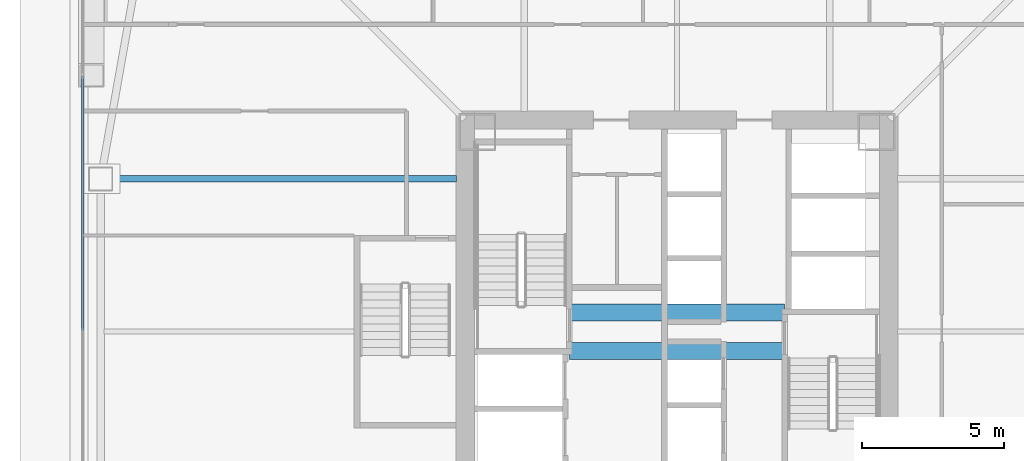
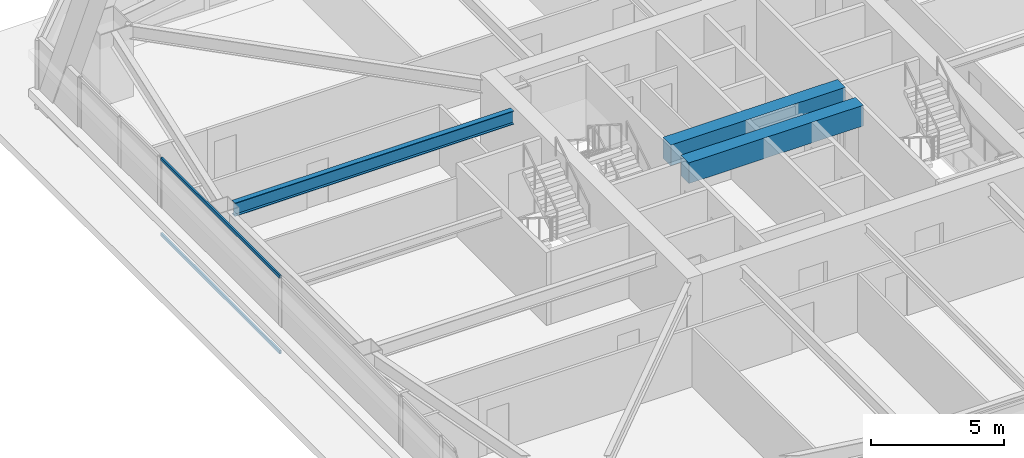
# One storey, part 11 of 67: 3 beams, 2 members, 1 element without a shape of its own.
"""IFC4 building model written with IfcOpenShell, lengths in metres."""

from ifc_helpers import new_model, si_unit, direction, frame, origin, origin_2d, place, context, subcontext, project, spatial, rectangle, hollow_rectangle, i_section, extrude, material, material_profile, profile_set, type_object, element, aggregate, save


model = new_model("IFC4")

# Units and contexts
model_context = context("Model", 3, precision=1e-05, world=origin(), true_north=direction((0.0, 1.0)))
body_context = subcontext(model_context, "Body", "Model", "MODEL_VIEW")
ifc_project = project(units=[si_unit("LENGTHUNIT", "METRE"), si_unit("AREAUNIT", "SQUARE_METRE"), si_unit("VOLUMEUNIT", "CUBIC_METRE"), si_unit("PLANEANGLEUNIT", "RADIAN"), si_unit("MASSUNIT", "GRAM", prefix="KILO")], contexts=[model_context])

# Site, building, storey
site_placement = place(None, origin())
site = spatial("IfcSite", under=ifc_project, at=site_placement, CompositionType="ELEMENT")
building_placement = place(site_placement, origin())
building = spatial("IfcBuilding", under=site, at=building_placement, Name="Tashvorn Skyway Center", CompositionType="ELEMENT")
storey_placement = place(building_placement, frame((0.0, 0.0, 67.199951171875)))
storey = spatial("IfcBuildingStorey", under=building, at=storey_placement, Name="L17", CompositionType="ELEMENT", Elevation=67.199951171875)

# Beams
ifc_material_1 = material(Name="Steel ASTM A992 Grade 50", Category="steel")
ifc_material_profile_1 = material_profile(ifc_material_1, i_section(OverallWidth=0.22998046875, OverallDepth=0.616943359375, WebThickness=0.01318359375, FlangeThickness=0.022216796875, at=origin_2d()), Name="W24X94")
ifc_profile_set_1 = profile_set([ifc_material_profile_1], Name="Steel ASTM A992 Grade 50")
beam_type_1 = type_object("IfcBeamType", Name="BM-BEAM-W24X94", PredefinedType="BEAM", material=ifc_profile_set_1)
beam_placement = place(storey_placement, frame((22.070068359375, 37.39990234375, 3.04150390625), z_axis=(1.0, 0.0, 0.0), x_axis=(0.0, 1.0, 0.0)))
element("IfcBeam", 1, at=beam_placement, inside=storey, type_object=beam_type_1, Name="Tower 1 L17 Primary Floor Girder FC-W1", PredefinedType="BEAM", context=body_context, shape_type="SweptSolid", body=[
    extrude(i_section(OverallWidth=0.22998046875, OverallDepth=0.616943359375, WebThickness=0.01318359375, FlangeThickness=0.022216796875, at=origin_2d()), origin(), (0.0, 0.0, 1.0), 12.14990234375),
])
ifc_material_2 = material(Name="Concrete C60/75", Category="concrete")
ifc_material_profile_2 = material_profile(ifc_material_2, rectangle(XDim=0.60009765625, YDim=0.949951171875, at=origin_2d()), Name="RCB600x950")
ifc_profile_set_2 = profile_set([ifc_material_profile_2], Name="Concrete C60/75")
beam_type_2 = type_object("IfcBeamType", Name="BM-LINTEL-RCB600x950", PredefinedType="LINTEL", material=ifc_profile_set_2)
for number, where, z_axis, x_axis, name in (
    (2, (38.199951171875, 32.679931640625, 2.875), (1.0, 0.0, 0.0), (0.0, 1.0, 0.0), "Tower 1 L17 Core Coupling Beam CN"),
    (3, (38.199951171875, 31.320068359375, 2.875), (1.0, 0.0, 0.0), (0.0, 1.0, 0.0), "Tower 1 L17 Core Coupling Beam CS"),
):
    element("IfcBeam", number, at=place(storey_placement, frame(where, z_axis=z_axis, x_axis=x_axis)), inside=storey, type_object=beam_type_2, Name=name, PredefinedType="LINTEL", context=body_context, shape_type="SweptSolid", body=[
        extrude(rectangle(XDim=0.60009765625, YDim=0.949951171875, at=origin_2d()), origin(), (0.0, 0.0, 1.0), 7.60009765625),
    ])

# Curtain wall, members
ifc_material_3 = material(Name="Thermally broken bronze-anodized aluminium 6063-T6", Category="aluminium")
curtain_wall_type = type_object("IfcCurtainWallType", Name="CW-CW-Z2", PredefinedType="NOTDEFINED", material=ifc_material_3)
curtain_wall_placement = place(storey_placement, origin())
curtain_wall = element("IfcCurtainWall", 4, at=curtain_wall_placement, inside=storey, type_object=curtain_wall_type, Name="Tower 1 L17 West Unitised Curtain Wall Glazing Group 2", PredefinedType="NOTDEFINED")
ifc_material_profile_3 = material_profile(ifc_material_3, hollow_rectangle(XDim=0.080078125, YDim=0.14990234375, WallThickness=0.00439453125, at=origin_2d()), Name="ALU-TRAN-80x150")
ifc_profile_set_3 = profile_set([ifc_material_profile_3], Name="Thermally broken bronze-anodized aluminium 6063-T6")
member_type = type_object("IfcMemberType", Name="CWT-CW-Z2", PredefinedType="USERDEFINED", material=ifc_profile_set_3)
member_1_placement = place(storey_placement, frame((21.02001953125, 32.0400390625, 0.0400390625), z_axis=(0.0, 1.0, 0.0), x_axis=(-1.0, 0.0, 0.0)))
member_1 = element("IfcMember", 5, at=member_1_placement, type_object=member_type, Name="CW-Z2 transom 2.1", ObjectType="TRANSOM", PredefinedType="USERDEFINED", context=body_context, shape_type="SweptSolid", body=[
    extrude(hollow_rectangle(XDim=0.080078125, YDim=0.14990234375, WallThickness=0.00439453125, at=origin_2d()), origin(), (0.0, 0.0, 1.0), 8.969970703125),
])
member_2_placement = place(storey_placement, frame((21.02001953125, 32.0400390625, 3.510009765625), z_axis=(0.0, 1.0, 0.0), x_axis=(-1.0, 0.0, 0.0)))
member_2 = element("IfcMember", 6, at=member_2_placement, type_object=member_type, Name="CW-Z2 transom 2.2", ObjectType="TRANSOM", PredefinedType="USERDEFINED", context=body_context, shape_type="SweptSolid", body=[
    extrude(hollow_rectangle(XDim=0.080078125, YDim=0.14990234375, WallThickness=0.00439453125, at=origin_2d()), origin(), (0.0, 0.0, 1.0), 8.969970703125),
])
aggregate(curtain_wall, [member_1, member_2])

save(model, "model.ifc")
